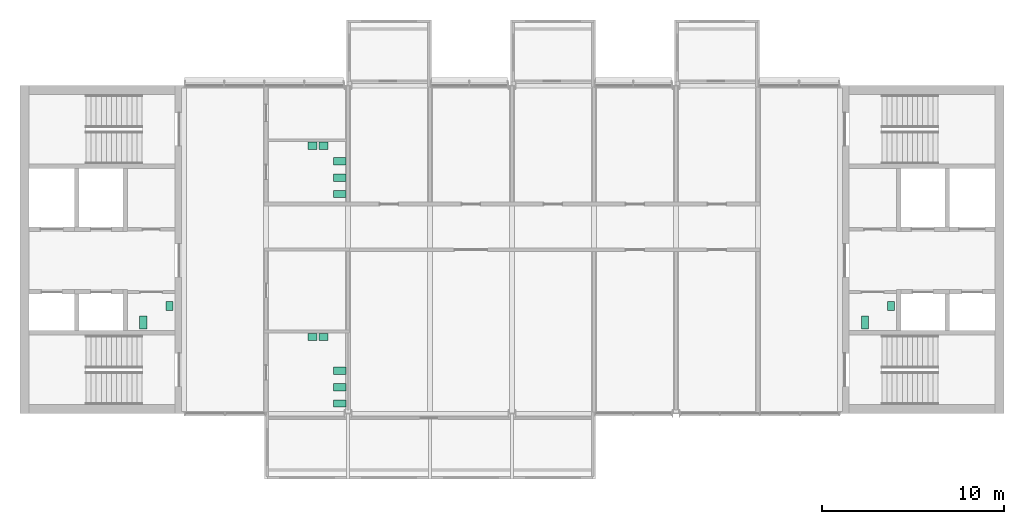
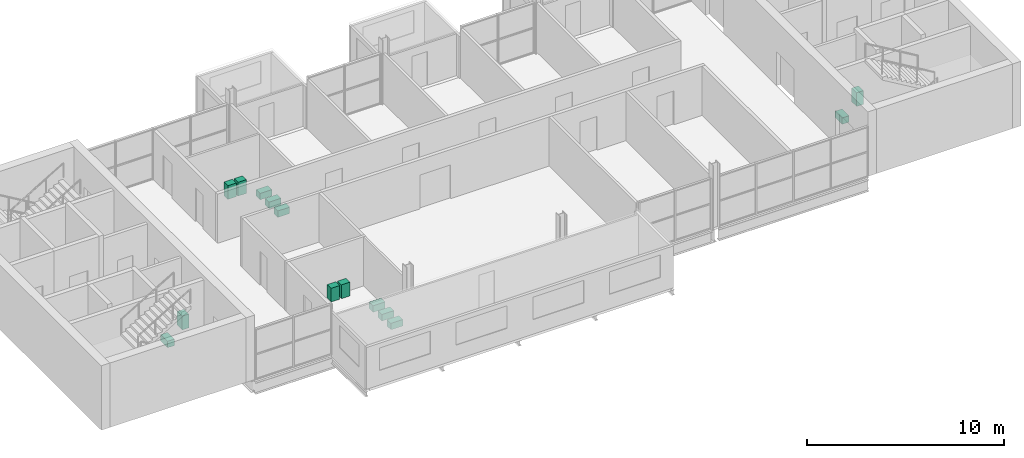
# One storey, part 11 of 11: 14 sanitary terminals.
"""IFC4 building model written with IfcOpenShell, lengths in metres."""

from ifc_helpers import new_model, si_unit, direction, frame, origin, origin_2d, place, context, subcontext, project, spatial, rectangle, extrude, element, save


model = new_model("IFC4")

# Units and contexts
model_context = context("Model", 3, precision=1e-05, world=origin(), true_north=direction((0.0, 1.0)))
body_context = subcontext(model_context, "Body", "Model", "MODEL_VIEW")
ifc_project = project(units=[si_unit("LENGTHUNIT", "METRE"), si_unit("AREAUNIT", "SQUARE_METRE"), si_unit("VOLUMEUNIT", "CUBIC_METRE"), si_unit("PLANEANGLEUNIT", "RADIAN"), si_unit("MASSUNIT", "GRAM", prefix="KILO")], contexts=[model_context])

# Site, building, storey
site_placement = place(None, origin())
site = spatial("IfcSite", under=ifc_project, at=site_placement, CompositionType="ELEMENT")
building_placement = place(site_placement, origin())
building = spatial("IfcBuilding", under=site, at=building_placement, Name="Corbel Yard City Hall", CompositionType="ELEMENT")
storey_placement = place(building_placement, frame((0.0, 0.0, 39.199951171875)))
storey = spatial("IfcBuildingStorey", under=building, at=storey_placement, Name="L09", CompositionType="ELEMENT", Elevation=39.199951171875)

# Sanitary terminals
sanitary_terminal_1_placement = place(storey_placement, frame((46.36669921875, 104.0, 0.0), z_axis=(0.0, 0.0, 1.0), x_axis=(1.0, 0.0, 0.0)))
element("IfcSanitaryTerminal", 1, at=sanitary_terminal_1_placement, inside=storey, Name="Water closet", PredefinedType="TOILETPAN", context=body_context, shape_type="SweptSolid", body=[
    extrude(rectangle(XDim=0.39990234375, YDim=0.699951171875, at=origin_2d()), origin(), (0.0, 0.0, 1.0), 0.39990234375),
])
sanitary_terminal_2_placement = place(storey_placement, frame((47.800048828125, 104.89990234375, 0.0), z_axis=(0.0, 0.0, 1.0), x_axis=(1.0, 0.0, 0.0)))
element("IfcSanitaryTerminal", 2, at=sanitary_terminal_2_placement, inside=storey, Name="Wash basin", PredefinedType="WASHHANDBASIN", context=body_context, shape_type="SweptSolid", body=[
    extrude(rectangle(XDim=0.39990234375, YDim=0.5, at=origin_2d()), origin(), (0.0, 0.0, 1.0), 0.85009765625),
])
sanitary_terminal_3_placement = place(storey_placement, frame((6.7666015625, 104.0, 0.0), z_axis=(0.0, 0.0, 1.0), x_axis=(1.0, 0.0, 0.0)))
element("IfcSanitaryTerminal", 3, at=sanitary_terminal_3_placement, inside=storey, Name="Water closet", PredefinedType="TOILETPAN", context=body_context, shape_type="SweptSolid", body=[
    extrude(rectangle(XDim=0.39990234375, YDim=0.699951171875, at=origin_2d()), origin(), (0.0, 0.0, 1.0), 0.39990234375),
])
sanitary_terminal_4_placement = place(storey_placement, frame((8.199951171875, 104.89990234375, 0.0), z_axis=(0.0, 0.0, 1.0), x_axis=(1.0, 0.0, 0.0)))
element("IfcSanitaryTerminal", 4, at=sanitary_terminal_4_placement, inside=storey, Name="Wash basin", PredefinedType="WASHHANDBASIN", context=body_context, shape_type="SweptSolid", body=[
    extrude(rectangle(XDim=0.39990234375, YDim=0.5, at=origin_2d()), origin(), (0.0, 0.0, 1.0), 0.85009765625),
])
for number, where, z_axis, x_axis, name in (
    (5, (17.550048828125, 99.550048828125, 0.0), (0.0, 0.0, 1.0), (1.0, 0.0, 0.0), "Water closet"),
    (6, (17.550048828125, 100.449951171875, 0.0), (0.0, 0.0, 1.0), (1.0, 0.0, 0.0), "Water closet"),
    (7, (17.550048828125, 101.35009765625, 0.0), (0.0, 0.0, 1.0), (1.0, 0.0, 0.0), "Water closet"),
):
    element("IfcSanitaryTerminal", number, at=place(storey_placement, frame(where, z_axis=z_axis, x_axis=x_axis)), inside=storey, Name=name, PredefinedType="TOILETPAN", context=body_context, shape_type="SweptSolid", body=[
        extrude(rectangle(XDim=0.699951171875, YDim=0.39990234375, at=origin_2d()), origin(), (0.0, 0.0, 1.0), 0.39990234375),
    ])
for number, where, z_axis, x_axis, name in (
    (8, (16.64990234375, 103.199951171875, 0.0), (0.0, 0.0, 1.0), (1.0, 0.0, 0.0), "Wash basin"),
    (9, (16.050048828125, 103.199951171875, 0.0), (0.0, 0.0, 1.0), (1.0, 0.0, 0.0), "Wash basin"),
):
    element("IfcSanitaryTerminal", number, at=place(storey_placement, frame(where, z_axis=z_axis, x_axis=x_axis)), inside=storey, Name=name, PredefinedType="WASHHANDBASIN", context=body_context, shape_type="SweptSolid", body=[
        extrude(rectangle(XDim=0.5, YDim=0.39990234375, at=origin_2d()), origin(), (0.0, 0.0, 1.0), 0.85009765625),
    ])
for number, where, z_axis, x_axis, name in (
    (10, (17.550048828125, 111.050048828125, 0.0), (0.0, 0.0, 1.0), (1.0, 0.0, 0.0), "Water closet"),
    (11, (17.550048828125, 111.949951171875, 0.0), (0.0, 0.0, 1.0), (1.0, 0.0, 0.0), "Water closet"),
    (12, (17.550048828125, 112.85009765625, 0.0), (0.0, 0.0, 1.0), (1.0, 0.0, 0.0), "Water closet"),
):
    element("IfcSanitaryTerminal", number, at=place(storey_placement, frame(where, z_axis=z_axis, x_axis=x_axis)), inside=storey, Name=name, PredefinedType="TOILETPAN", context=body_context, shape_type="SweptSolid", body=[
        extrude(rectangle(XDim=0.699951171875, YDim=0.39990234375, at=origin_2d()), origin(), (0.0, 0.0, 1.0), 0.39990234375),
    ])
for number, where, z_axis, x_axis, name in (
    (13, (16.64990234375, 113.699951171875, 0.0), (0.0, 0.0, 1.0), (1.0, 0.0, 0.0), "Wash basin"),
    (14, (16.050048828125, 113.699951171875, 0.0), (0.0, 0.0, 1.0), (1.0, 0.0, 0.0), "Wash basin"),
):
    element("IfcSanitaryTerminal", number, at=place(storey_placement, frame(where, z_axis=z_axis, x_axis=x_axis)), inside=storey, Name=name, PredefinedType="WASHHANDBASIN", context=body_context, shape_type="SweptSolid", body=[
        extrude(rectangle(XDim=0.5, YDim=0.39990234375, at=origin_2d()), origin(), (0.0, 0.0, 1.0), 0.85009765625),
    ])

save(model, "model.ifc")
